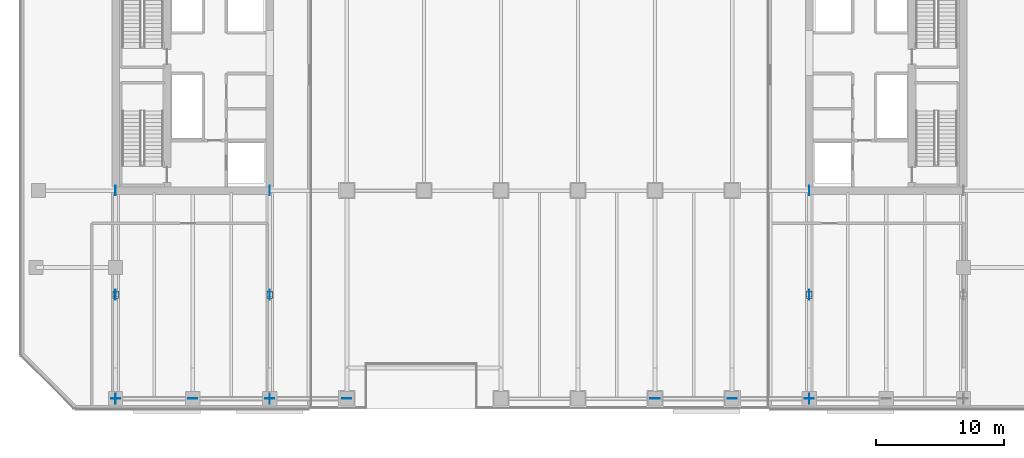
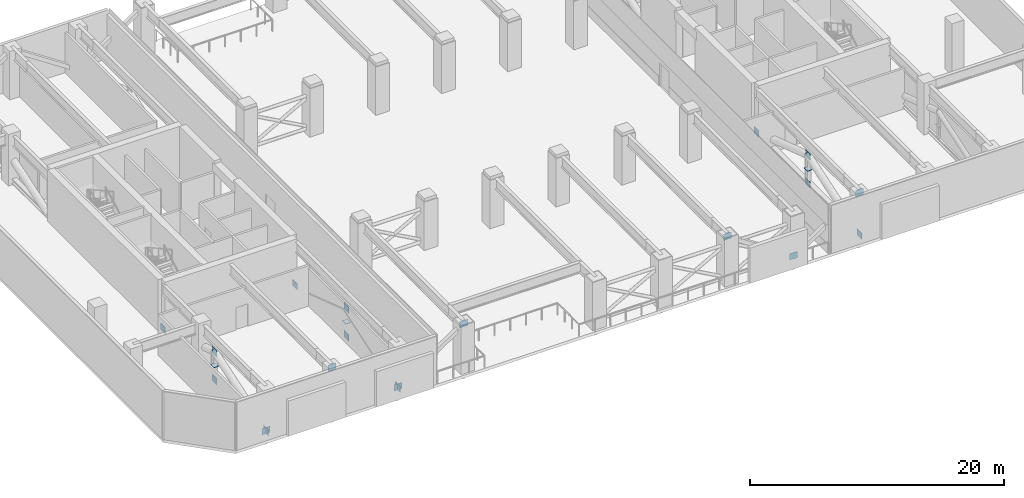
# One storey, part 8 of 22: 22 plates.
"""IFC4 building model written with IfcOpenShell, lengths in metres."""

from ifc_helpers import new_model, si_unit, direction, frame, origin, origin_2d, place, context, subcontext, project, spatial, rectangle, extrude, material, layer, layer_set, type_object, element, save


model = new_model("IFC4")

# Units and contexts
model_context = context("Model", 3, precision=1e-05, world=origin(), true_north=direction((0.0, 1.0)))
body_context = subcontext(model_context, "Body", "Model", "MODEL_VIEW")
ifc_project = project(units=[si_unit("LENGTHUNIT", "METRE"), si_unit("AREAUNIT", "SQUARE_METRE"), si_unit("VOLUMEUNIT", "CUBIC_METRE"), si_unit("PLANEANGLEUNIT", "RADIAN"), si_unit("MASSUNIT", "GRAM", prefix="KILO")], contexts=[model_context])

# Site, building, storey
site_placement = place(None, origin())
site = spatial("IfcSite", under=ifc_project, at=site_placement, CompositionType="ELEMENT")
building_placement = place(site_placement, origin())
building = spatial("IfcBuilding", under=site, at=building_placement, Name="Tanjung Sevakor Pilgrim Tower", CompositionType="ELEMENT")
storey_placement = place(building_placement, frame((0.0, 0.0, 73.260009765625)))
storey = spatial("IfcBuildingStorey", under=building, at=storey_placement, Name="L20", CompositionType="ELEMENT", Elevation=73.260009765625)

# Plates
ifc_material_1 = material(Name="Steel S460M", Category="steel")
ifc_layer_1 = layer(ifc_material_1, 0.028076171875)
ifc_layer_set_1 = layer_set([ifc_layer_1], Name="PL-CAP-28")
plate_type_1 = type_object("IfcPlateType", Name="PL-CAP-28", PredefinedType="USERDEFINED", material=ifc_layer_set_1)
for number, where, z_axis, x_axis, name in (
    (1, (24.0, 16.5, 1.68115234375), (0.0, 0.0, 1.0), (1.0, 0.0, 0.0), "L20 Hollow End Cap Plate 001"),
    (2, (36.0, 16.5, 1.68115234375), (0.0, 0.0, 1.0), (1.0, 0.0, 0.0), "L20 Hollow End Cap Plate 003"),
    (3, (78.0, 16.5, 1.68115234375), (0.0, 0.0, 1.0), (1.0, 0.0, 0.0), "L20 Hollow End Cap Plate 005"),
):
    element("IfcPlate", number, at=place(storey_placement, frame(where, z_axis=z_axis, x_axis=x_axis)), inside=storey, type_object=plate_type_1, Name=name, ObjectType="CAP PLATE", PredefinedType="USERDEFINED", context=body_context, shape_type="SweptSolid", body=[
        extrude(rectangle(XDim=0.43994140625, YDim=0.56005859375, at=origin_2d()), origin(), (0.0, 0.0, 1.0), 0.028076171875),
    ])
ifc_material_2 = material(Name="Steel S460M", Category="steel")
ifc_layer_2 = layer(ifc_material_2, 0.031982421875)
ifc_layer_set_2 = layer_set([ifc_layer_2], Name="PL-GUSSET-32")
plate_type_2 = type_object("IfcPlateType", Name="PL-GUSSET-32", PredefinedType="USERDEFINED", material=ifc_layer_set_2)
for number, where, z_axis, x_axis, name in (
    (4, (24.0, 8.39990234375, 0.050048828125), (0.0, 0.0, 1.0), (1.0, 0.0, 0.0), "L20 Outrigger Gusset 001"),
    (5, (24.0, 16.5, 0.050048828125), (0.0, 0.0, 1.0), (1.0, 0.0, 0.0), "L20 Outrigger Gusset 002"),
    (6, (24.0, 24.60009765625, 0.050048828125), (0.0, 0.0, 1.0), (1.0, 0.0, 0.0), "L20 Core Wall Cast-In Embed Plate 003"),
    (7, (24.0, 16.5, 2.739990234375), (0.0, 0.0, 1.0), (1.0, 0.0, 0.0), "L20 Outrigger Gusset 004"),
    (8, (36.0, 8.39990234375, 0.050048828125), (0.0, 0.0, 1.0), (1.0, 0.0, 0.0), "L20 Outrigger Gusset 009"),
    (9, (36.0, 16.5, 0.050048828125), (0.0, 0.0, 1.0), (1.0, 0.0, 0.0), "L20 Outrigger Gusset 010"),
    (10, (36.0, 24.60009765625, 0.050048828125), (0.0, 0.0, 1.0), (1.0, 0.0, 0.0), "L20 Core Wall Cast-In Embed Plate 011"),
    (11, (36.0, 16.5, 2.739990234375), (0.0, 0.0, 1.0), (1.0, 0.0, 0.0), "L20 Outrigger Gusset 012"),
    (12, (78.0, 8.39990234375, 0.050048828125), (0.0, 0.0, 1.0), (1.0, 0.0, 0.0), "L20 Outrigger Gusset 017"),
    (13, (78.0, 16.5, 0.050048828125), (0.0, 0.0, 1.0), (1.0, 0.0, 0.0), "L20 Outrigger Gusset 018"),
    (14, (78.0, 24.60009765625, 0.050048828125), (0.0, 0.0, 1.0), (1.0, 0.0, 0.0), "L20 Core Wall Cast-In Embed Plate 019"),
    (15, (78.0, 16.5, 2.739990234375), (0.0, 0.0, 1.0), (1.0, 0.0, 0.0), "L20 Outrigger Gusset 020"),
):
    element("IfcPlate", number, at=place(storey_placement, frame(where, z_axis=z_axis, x_axis=x_axis)), inside=storey, type_object=plate_type_2, Name=name, ObjectType="GUSSET PLATE", PredefinedType="USERDEFINED", context=body_context, shape_type="SweptSolid", body=[
        extrude(rectangle(XDim=0.031982421875, YDim=0.760009765625, at=origin_2d()), origin(), (0.0, 0.0, 1.0), 0.60009765625),
    ])
for number, where, z_axis, x_axis, name in (
    (16, (24.0, 8.39990234375, 0.050048828125), (0.0, 0.0, 1.0), (1.0, 0.0, 0.0), "L20 Belt Truss Node Gusset 033"),
    (17, (30.0, 8.39990234375, 4.035888671875), (0.0, 0.0, 1.0), (1.0, 0.0, 0.0), "L20 Belt Truss Node Gusset 034"),
    (18, (36.0, 8.39990234375, 0.050048828125), (0.0, 0.0, 1.0), (1.0, 0.0, 0.0), "L20 Belt Truss Node Gusset 035"),
    (19, (42.0, 8.39990234375, 4.035888671875), (0.0, 0.0, 1.0), (1.0, 0.0, 0.0), "L20 Belt Truss Node Gusset 036"),
    (20, (66.0, 8.39990234375, 4.035888671875), (0.0, 0.0, 1.0), (1.0, 0.0, 0.0), "L20 Belt Truss Node Gusset 037"),
    (21, (72.0, 8.39990234375, 0.050048828125), (0.0, 0.0, 1.0), (1.0, 0.0, 0.0), "L20 Belt Truss Node Gusset 038"),
    (22, (78.0, 8.39990234375, 4.035888671875), (0.0, 0.0, 1.0), (1.0, 0.0, 0.0), "L20 Belt Truss Node Gusset 039"),
):
    element("IfcPlate", number, at=place(storey_placement, frame(where, z_axis=z_axis, x_axis=x_axis)), inside=storey, type_object=plate_type_2, Name=name, ObjectType="GUSSET PLATE", PredefinedType="USERDEFINED", context=body_context, shape_type="SweptSolid", body=[
        extrude(rectangle(XDim=0.719970703125, YDim=0.031982421875, at=origin_2d()), origin(), (0.0, 0.0, 1.0), 0.60009765625),
    ])

save(model, "model.ifc")
